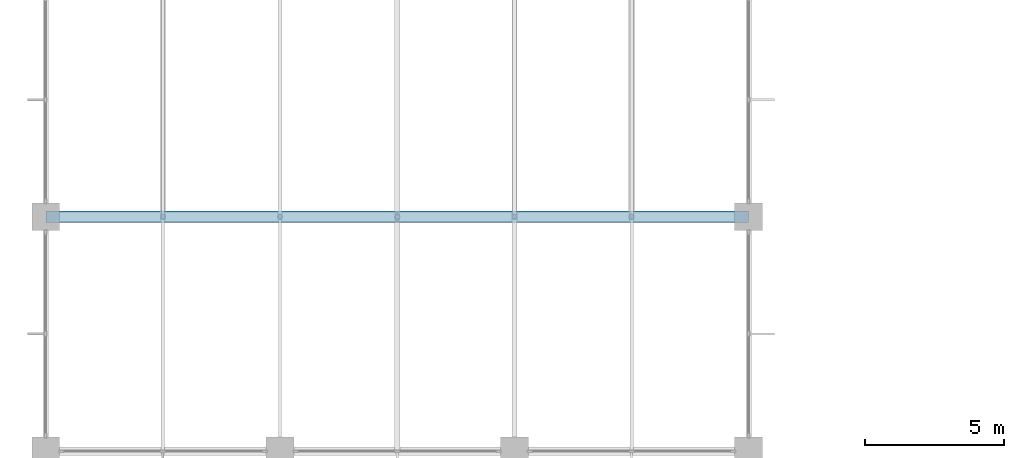
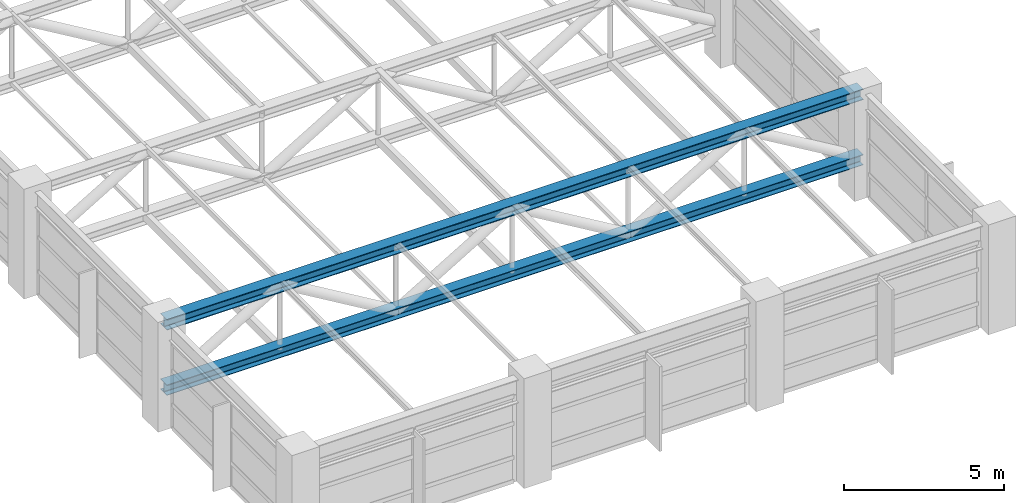
# One storey, part 8 of 32: 2 beams.
"""IFC4 building model written with IfcOpenShell, lengths in metres."""

from ifc_helpers import new_model, si_unit, direction, frame, origin, origin_2d, place, context, subcontext, project, spatial, i_section, extrude, material, material_profile, profile_set, type_object, element, save


model = new_model("IFC4")

# Units and contexts
model_context = context("Model", 3, precision=1e-05, world=origin(), true_north=direction((0.0, 1.0)))
body_context = subcontext(model_context, "Body", "Model", "MODEL_VIEW")
ifc_project = project(units=[si_unit("LENGTHUNIT", "METRE"), si_unit("AREAUNIT", "SQUARE_METRE"), si_unit("VOLUMEUNIT", "CUBIC_METRE"), si_unit("PLANEANGLEUNIT", "RADIAN"), si_unit("MASSUNIT", "GRAM", prefix="KILO")], contexts=[model_context])

# Site, building, storey
site_placement = place(None, origin())
site = spatial("IfcSite", under=ifc_project, at=site_placement, CompositionType="ELEMENT")
building_placement = place(site_placement, origin())
building = spatial("IfcBuilding", under=site, at=building_placement, Name="Xuanlan Plaza Opera House", CompositionType="ELEMENT")
storey_placement = place(building_placement, frame((0.0, 0.0, 40.5)))
storey = spatial("IfcBuildingStorey", under=building, at=storey_placement, Name="L09", CompositionType="ELEMENT", Elevation=40.5)

# Beams
ifc_material = material(Name="Steel Q390B", Category="steel")
ifc_material_profile_1 = material_profile(ifc_material, i_section(OverallWidth=0.405029296875, OverallDepth=0.4140625, WebThickness=0.01806640625, FlangeThickness=0.028076171875, FilletRadius=0.02197265625, at=origin_2d()), Name="HW 414x405x18x28")
ifc_profile_set_1 = profile_set([ifc_material_profile_1], Name="Steel Q390B")
beam_type_1 = type_object("IfcBeamType", Name="STR-BM-TCH-01", PredefinedType="BEAM", material=ifc_profile_set_1)
beam_1_placement = place(storey_placement, frame((42.0, 50.39990234375, 3.751953125), z_axis=(1.0, 0.0, 0.0), x_axis=(0.0, 1.0, 0.0)))
element("IfcBeam", 1, at=beam_1_placement, inside=storey, type_object=beam_type_1, Name="Stage Roof Truss STG-01 Top Chord Girder", PredefinedType="BEAM", context=body_context, shape_type="SweptSolid", body=[
    extrude(i_section(OverallWidth=0.405029296875, OverallDepth=0.4140625, WebThickness=0.01806640625, FlangeThickness=0.028076171875, FilletRadius=0.02197265625, at=origin_2d()), origin(), (0.0, 0.0, 1.0), 25.199951171875),
])
ifc_material_profile_2 = material_profile(ifc_material, i_section(OverallWidth=0.39990234375, OverallDepth=0.39990234375, WebThickness=0.012939453125, FlangeThickness=0.02099609375, FilletRadius=0.02197265625, at=origin_2d()), Name="HW 400x400x13x21")
ifc_profile_set_2 = profile_set([ifc_material_profile_2], Name="Steel Q390B")
beam_type_2 = type_object("IfcBeamType", Name="STR-BM-TCH-02", PredefinedType="BEAM", material=ifc_profile_set_2)
beam_2_placement = place(storey_placement, frame((42.0, 50.39990234375, 1.251953125), z_axis=(1.0, 0.0, 0.0), x_axis=(0.0, 1.0, 0.0)))
element("IfcBeam", 2, at=beam_2_placement, inside=storey, type_object=beam_type_2, Name="Stage Roof Truss STG-01 Bottom Chord Girder", PredefinedType="BEAM", context=body_context, shape_type="SweptSolid", body=[
    extrude(i_section(OverallWidth=0.39990234375, OverallDepth=0.39990234375, WebThickness=0.012939453125, FlangeThickness=0.02099609375, FilletRadius=0.02197265625, at=origin_2d()), origin(), (0.0, 0.0, 1.0), 25.199951171875),
])

save(model, "model.ifc")
